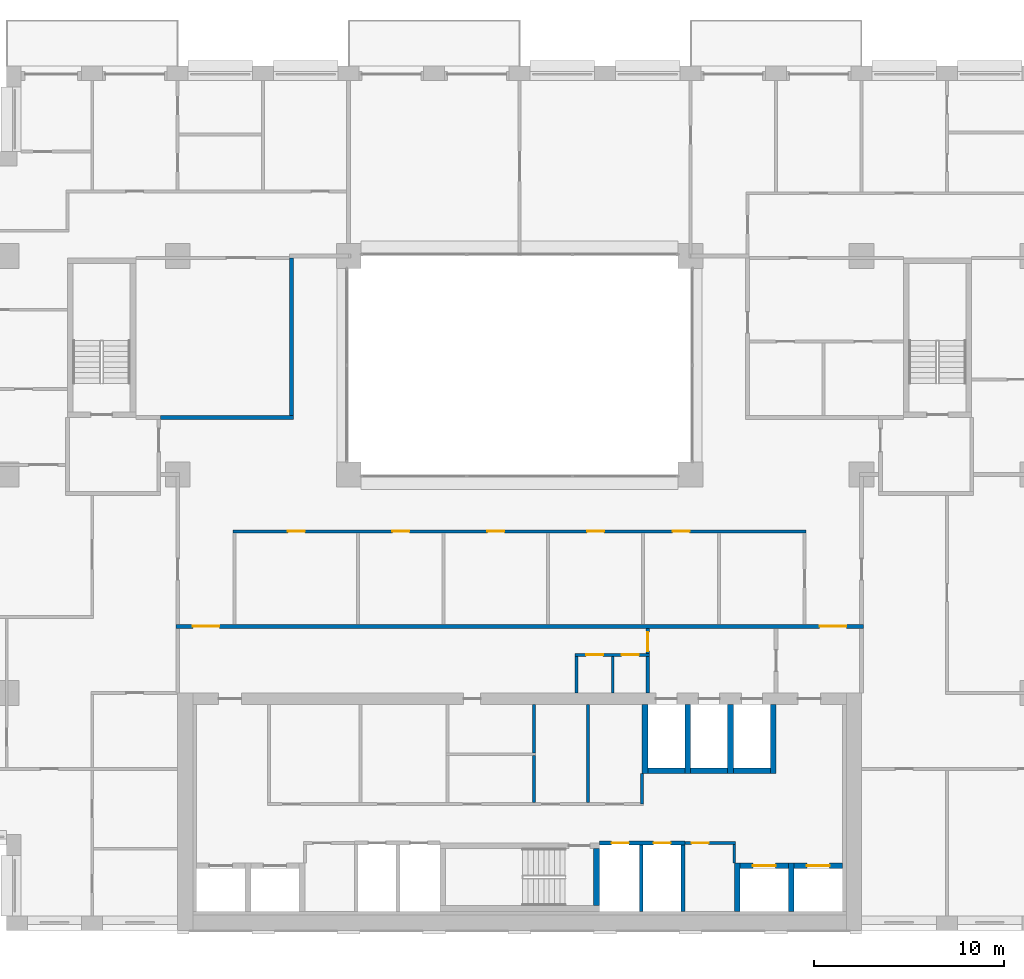
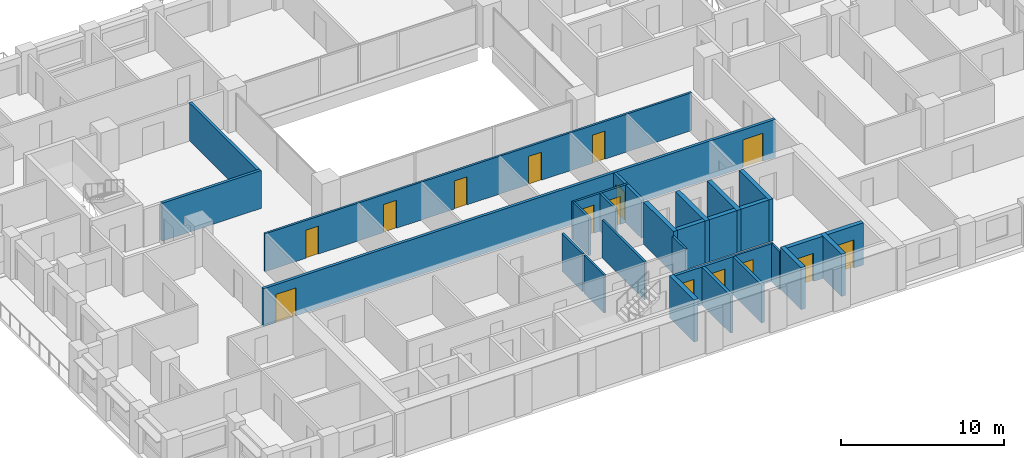
# One storey, part 10 of 16: 30 walls, 15 doors, 15 openings.
"""IFC4 building model written with IfcOpenShell, lengths in metres."""

import ifcopenshell
import ifcopenshell.guid

model = None  # the IFC model being written
_history = None  # IfcOwnerHistory: only IFC2X3 demands one
_inside = {}  # id of a spatial element -> (the spatial element, [elements in it])
_under = {}  # id of a project, library or spatial element -> (it, [spatial elements below it])
_declared = {}  # id of a project -> (the project, [libraries it declares])
_typed = {}  # id of a type object -> (the type object, [elements of that type])
_made_of = {}  # id of a material, layer set ... -> (it, [elements and type objects made of it])


def new_model(schema):
    """Start an empty IFC model of exactly this schema.

    Asked for "IFC4X3", IfcOpenShell would pick the latest addendum, in which some entities
    have other attributes; the version numbers below select the first issue.
    IFC2X3 requires an IfcOwnerHistory on every rooted entity: one is made here for all.
    """
    global model, _history
    if schema == "IFC4X3":
        model = ifcopenshell.file(schema_version=(4, 3, 0, 0))
    else:
        model = ifcopenshell.file(schema=schema)
    _inside.clear()
    _under.clear()
    _declared.clear()
    _typed.clear()
    _made_of.clear()
    _history = None
    if model.schema == "IFC2X3":
        org = make("IfcOrganization", Name="unknown")
        user = make(
            "IfcPersonAndOrganization",
            ThePerson=make("IfcPerson", FamilyName="unknown"),
            TheOrganization=org,
        )
        app = make(
            "IfcApplication",
            ApplicationDeveloper=org,
            Version="unknown",
            ApplicationFullName="unknown",
            ApplicationIdentifier="unknown",
        )
        _history = make(
            "IfcOwnerHistory",
            OwningUser=user,
            OwningApplication=app,
            ChangeAction="ADDED",
            CreationDate=0,
        )
    return model


def make(cls, **values):
    """One entity of the class cls with the attributes given. An attribute that is None is left unset."""
    return model.create_entity(
        cls, **{name: value for name, value in values.items() if value is not None}
    )


def rooted(cls, **values):
    """An entity with a GlobalId (a new one), such as an element, a storey or a relation."""
    return make(cls, GlobalId=ifcopenshell.guid.new(), OwnerHistory=_history, **values)


def si_unit(unit_type, name, prefix=None):
    """IfcSIUnit, for example si_unit("LENGTHUNIT", "METRE", prefix="MILLI")."""
    return make("IfcSIUnit", UnitType=unit_type, Prefix=prefix, Name=name)


def assignment(units):
    """IfcUnitAssignment: the units of a project."""
    return None if units is None else make("IfcUnitAssignment", Units=units)


def point(xyz):
    """IfcCartesianPoint."""
    return None if xyz is None else make("IfcCartesianPoint", Coordinates=xyz)


def direction(xyz):
    """IfcDirection."""
    return None if xyz is None else make("IfcDirection", DirectionRatios=xyz)


def frame(location, z_axis=None, x_axis=None):
    """IfcAxis2Placement3D, a coordinate frame: its origin and axes. An axis left out is left unset."""
    return make(
        "IfcAxis2Placement3D",
        Location=point(location),
        Axis=direction(z_axis),
        RefDirection=direction(x_axis),
    )


def frame_2d(location, x_axis=None):
    """IfcAxis2Placement2D, a coordinate frame in the plane: its origin and x axis."""
    return make(
        "IfcAxis2Placement2D", Location=point(location), RefDirection=direction(x_axis)
    )


def origin():
    """The frame at (0, 0, 0) with its axes left unset."""
    return frame((0.0, 0.0, 0.0))


def place(relative_to, where):
    """IfcLocalPlacement: puts the frame where relative to a parent placement (None: the world)."""
    return make(
        "IfcLocalPlacement", PlacementRelTo=relative_to, RelativePlacement=where
    )


def context(
    kind, dimensions, precision=None, world=None, true_north=None, identifier=None
):
    """IfcGeometricRepresentationContext, for example the 3D "Model" context."""
    return make(
        "IfcGeometricRepresentationContext",
        ContextIdentifier=identifier,
        ContextType=kind,
        CoordinateSpaceDimension=dimensions,
        Precision=precision,
        WorldCoordinateSystem=world,
        TrueNorth=true_north,
    )


def subcontext(parent, identifier, kind, view, scale=None):
    """IfcGeometricRepresentationSubContext, for example "Body" below "Model"."""
    return make(
        "IfcGeometricRepresentationSubContext",
        ContextIdentifier=identifier,
        ContextType=kind,
        ParentContext=parent,
        TargetScale=scale,
        TargetView=view,
    )


def project(units=None, contexts=None):
    """IfcProject with its units and contexts."""
    return rooted(
        "IfcProject",
        Name="project",
        RepresentationContexts=contexts,
        UnitsInContext=assignment(units),
    )


def spatial(cls, under=None, at=None, **own):
    """A site, building, storey or space (cls), placed at a placement, below another one or the project."""
    s = rooted(cls, ObjectPlacement=at, **own)
    if under is not None:
        _under.setdefault(under.id(), (under, []))[1].append(s)
    return s


def profile(cls, at=None, kind="AREA", **sizes):
    """A parametric profile (cls). Its sizes go by their IFC names, for example OverallWidth=200.0."""
    return make(cls, ProfileType=kind, Position=at, **sizes)


def rectangle(**sizes):
    """IfcRectangleProfileDef."""
    return profile("IfcRectangleProfileDef", **sizes)


def extrude(swept, where, along, depth):
    """IfcExtrudedAreaSolid: the profile swept, set in the frame where, extruded along a direction by depth."""
    return make(
        "IfcExtrudedAreaSolid",
        SweptArea=swept,
        Position=where,
        ExtrudedDirection=direction(along),
        Depth=depth,
    )


def shape(context_of_items, identifier, shape_type, items):
    """IfcShapeRepresentation: the items that make up one representation, for example the "Body"."""
    return make(
        "IfcShapeRepresentation",
        ContextOfItems=context_of_items,
        RepresentationIdentifier=identifier,
        RepresentationType=shape_type,
        Items=items,
    )


def material(Name=None, Category=None):
    """IfcMaterial."""
    return make("IfcMaterial", Name=Name, Category=Category)


def layer(
    of_material, thickness, ventilated=None, Name=None, Category=None, Priority=None
):
    """IfcMaterialLayer: one layer of a wall or slab, of a material (None: an air gap)."""
    return make(
        "IfcMaterialLayer",
        Material=of_material,
        LayerThickness=thickness,
        IsVentilated=ventilated,
        Name=Name,
        Category=Category,
        Priority=Priority,
    )


def layer_set(layers, Name=None):
    """IfcMaterialLayerSet."""
    return make("IfcMaterialLayerSet", MaterialLayers=layers, LayerSetName=Name)


def made_of(thing, what):
    """Note that an element or type object is made of a material, layer set ...; save() writes the relation."""
    if what is not None:
        _made_of.setdefault(what.id(), (what, []))[1].append(thing)
    return thing


def type_object(cls, material=None, **own):
    """A type object (cls), such as IfcWallType, which elements share."""
    return made_of(rooted(cls, **own), material)


def element(
    cls,
    number,
    at=None,
    inside=None,
    cuts=None,
    type_object=None,
    material=None,
    context=None,
    identifier="Body",
    shape_type=None,
    held_by="IfcProductDefinitionShape",
    body=None,
    shapes=None,
    **own,
):
    """One element of the class cls, such as IfcWall. Its Tag is "e" and its number.

    at: its placement. inside: the storey or other place that contains it. cuts: it is an
    opening in that element (IfcRelVoidsElement). A single representation is given by context,
    identifier, shape_type and body (its items); several are given by shapes. held_by: the class
    of the entity that holds the representations. save() writes the other relations.
    """
    e = rooted(cls, Tag="e%d" % number, ObjectPlacement=at, **own)
    if body is not None:
        shapes = [shape(context, identifier, shape_type, body)]
    if shapes is not None:
        e.Representation = make(held_by, Representations=shapes)
    if inside is not None:
        _inside.setdefault(inside.id(), (inside, []))[1].append(e)
    if cuts is not None:
        rooted(
            "IfcRelVoidsElement", RelatingBuildingElement=cuts, RelatedOpeningElement=e
        )
    if type_object is not None:
        _typed.setdefault(type_object.id(), (type_object, []))[1].append(e)
    return made_of(e, material)


def fill(opening, filler):
    """IfcRelFillsElement: the door or window that sits in an opening."""
    return rooted(
        "IfcRelFillsElement",
        RelatingOpeningElement=opening,
        RelatedBuildingElement=filler,
    )


def aggregate(whole, parts):
    """IfcRelAggregates: a whole, such as a stair, and the parts it consists of."""
    return rooted("IfcRelAggregates", RelatingObject=whole, RelatedObjects=parts)


def save(model, path):
    """Write the relations noted so far, then the file.

    IfcRelAggregates (storeys below a building ...), IfcRelContainedInSpatialStructure (elements
    in a storey), IfcRelDefinesByType, IfcRelAssociatesMaterial and IfcRelDeclares: one each for
    every whole, place, type object, material and project.
    """
    for whole, parts in _under.values():
        aggregate(whole, parts)
    for where, things in _inside.values():
        rooted(
            "IfcRelContainedInSpatialStructure",
            RelatedElements=things,
            RelatingStructure=where,
        )
    for kind, things in _typed.values():
        rooted("IfcRelDefinesByType", RelatedObjects=things, RelatingType=kind)
    for what, things in _made_of.values():
        rooted("IfcRelAssociatesMaterial", RelatedObjects=things, RelatingMaterial=what)
    for by, libraries in _declared.values():
        rooted("IfcRelDeclares", RelatingContext=by, RelatedDefinitions=libraries)
    model.write(path)


model = new_model("IFC4")

# Units and contexts
model_context = context("Model", 3, precision=1e-05, world=origin(), true_north=direction((0.0, 1.0)))
body_context = subcontext(model_context, "Body", "Model", "MODEL_VIEW")
ifc_project = project(units=[si_unit("LENGTHUNIT", "METRE"), si_unit("AREAUNIT", "SQUARE_METRE"), si_unit("VOLUMEUNIT", "CUBIC_METRE"), si_unit("PLANEANGLEUNIT", "RADIAN"), si_unit("MASSUNIT", "GRAM", prefix="KILO")], contexts=[model_context])

# Site, building, storey
site_placement = place(None, origin())
site = spatial("IfcSite", under=ifc_project, at=site_placement, CompositionType="ELEMENT")
building_placement = place(site_placement, origin())
building = spatial("IfcBuilding", under=site, at=building_placement, Name="Brigalow Station Residences", CompositionType="ELEMENT")
storey_placement = place(building_placement, frame((0.0, 0.0, 86.699951171875)))
storey = spatial("IfcBuildingStorey", under=building, at=storey_placement, Name="L24", CompositionType="ELEMENT", Elevation=86.699951171875)

# Walls
ifc_material_1 = material(Name="Concrete C65", Category="concrete")
ifc_layer_1 = layer(ifc_material_1, 0.300048828125)
ifc_layer_set_1 = layer_set([ifc_layer_1], Name="CORE SHEAR WALL 300 C65")
wall_type_1 = type_object("IfcWallType", Name="CORE SHEAR WALL 300 C65", PredefinedType="SHEAR", material=ifc_layer_set_1)
wall_1_placement = place(storey_placement, frame((42.75, 8.39990234375, 0.0), z_axis=(0.0, 0.0, 1.0), x_axis=(1.0, 0.0, 0.0)))
element("IfcWall", 1, at=wall_1_placement, inside=storey, type_object=wall_type_1, Name="CORE WALL SH-FF1-S L24", PredefinedType="SHEAR", context=body_context, shape_type="SweptSolid", body=[
    extrude(rectangle(XDim=1.949951171875, YDim=0.300048828125, at=frame_2d((0.97509765625, 0.0))), origin(), (0.0, 0.0, 1.0), 3.150146484375),
])
wall_2_placement = place(storey_placement, frame((42.60009765625, 8.25, 0.0), z_axis=(0.0, 0.0, 1.0), x_axis=(0.0, 1.0, 0.0)))
element("IfcWall", 2, at=wall_2_placement, inside=storey, type_object=wall_type_1, Name="CORE WALL SH-FF1-W L24", PredefinedType="SHEAR", context=body_context, shape_type="SweptSolid", body=[
    extrude(rectangle(XDim=3.64990234375, YDim=0.300048828125, at=frame_2d((1.824951171875, 0.0))), origin(), (0.0, 0.0, 1.0), 3.150146484375),
])
wall_3_placement = place(storey_placement, frame((45.0, 8.39990234375, 0.0), z_axis=(0.0, 0.0, 1.0), x_axis=(1.0, 0.0, 0.0)))
element("IfcWall", 3, at=wall_3_placement, inside=storey, type_object=wall_type_1, Name="CORE WALL SH-FF2-S L24", PredefinedType="SHEAR", context=body_context, shape_type="SweptSolid", body=[
    extrude(rectangle(XDim=1.949951171875, YDim=0.300048828125, at=frame_2d((0.97509765625, 0.0))), origin(), (0.0, 0.0, 1.0), 3.150146484375),
])
wall_4_placement = place(storey_placement, frame((44.85009765625, 8.25, 0.0), z_axis=(0.0, 0.0, 1.0), x_axis=(0.0, 1.0, 0.0)))
element("IfcWall", 4, at=wall_4_placement, inside=storey, type_object=wall_type_1, Name="CORE WALL SH-FF2-W L24", PredefinedType="SHEAR", context=body_context, shape_type="SweptSolid", body=[
    extrude(rectangle(XDim=3.64990234375, YDim=0.300048828125, at=frame_2d((1.824951171875, 0.0))), origin(), (0.0, 0.0, 1.0), 3.150146484375),
])
wall_5_placement = place(storey_placement, frame((47.25, 8.39990234375, 0.0), z_axis=(0.0, 0.0, 1.0), x_axis=(1.0, 0.0, 0.0)))
element("IfcWall", 5, at=wall_5_placement, inside=storey, type_object=wall_type_1, Name="CORE WALL SH-SL1-S L24", PredefinedType="SHEAR", context=body_context, shape_type="SweptSolid", body=[
    extrude(rectangle(XDim=1.949951171875, YDim=0.300048828125, at=frame_2d((0.97509765625, 0.0))), origin(), (0.0, 0.0, 1.0), 3.150146484375),
])
for number, where, z_axis, x_axis, name in (
    (6, (47.10009765625, 8.25, 0.0), (0.0, 0.0, 1.0), (0.0, 1.0, 0.0), "CORE WALL SH-SL1-W L24"),
    (7, (49.35009765625, 8.25, 0.0), (0.0, 0.0, 1.0), (0.0, 1.0, 0.0), "CORE WALL SH-SL1-E L24"),
):
    element("IfcWall", number, at=place(storey_placement, frame(where, z_axis=z_axis, x_axis=x_axis)), inside=storey, type_object=wall_type_1, Name=name, PredefinedType="SHEAR", context=body_context, shape_type="SweptSolid", body=[
        extrude(rectangle(XDim=3.64990234375, YDim=0.300048828125, at=frame_2d((1.824951171875, 0.0))), origin(), (0.0, 0.0, 1.0), 3.150146484375),
    ])

# Wall, opening, door
wall_6_placement = place(storey_placement, frame((47.60009765625, 3.39990234375, 0.0), z_axis=(0.0, 0.0, 1.0), x_axis=(1.0, 0.0, 0.0)))
wall_6 = element("IfcWall", 8, at=wall_6_placement, inside=storey, type_object=wall_type_1, Name="CORE WALL SH-C3-N L24", PredefinedType="SHEAR", context=body_context, shape_type="SweptSolid", body=[
    extrude(rectangle(XDim=2.5498046875, YDim=0.300048828125, at=frame_2d((1.27490234375, 0.0))), origin(), (0.0, 0.0, 1.0), 3.150146484375),
])
opening_1_placement = place(wall_6_placement, frame((0.675048828125, 0.0, 0.0)))
opening_1 = element("IfcOpeningElement", 9, at=opening_1_placement, cuts=wall_6, Name="Opening LD-LB3", PredefinedType="OPENING", context=body_context, shape_type="SweptSolid", body=[
    extrude(rectangle(XDim=1.199951171875, YDim=2.10009765625, at=frame_2d((0.60009765625, 1.050048828125))), frame((0.0, 0.16015625, 0.0), z_axis=(0.0, -1.0, 0.0), x_axis=(1.0, 0.0, 0.0)), (0.0, 0.0, 1.0), 0.320068359375),
])
ifc_material_2 = material(Name="Stainless steel sliding door leaves", Category="steel")
door_type_1 = type_object("IfcDoorType", Name="LIFT LANDING DOOR 1200 x 2100", OperationType="DOUBLE_DOOR_SLIDING", PredefinedType="DOOR", material=ifc_material_2)
door_1_placement = place(opening_1_placement, origin())
door_1 = element("IfcDoor", 10, at=door_1_placement, inside=storey, type_object=door_type_1, Name="LANDING DOOR LB3", OperationType="DOUBLE_DOOR_SLIDING", OverallHeight=2.10009765625, OverallWidth=1.199951171875, PredefinedType="DOOR", context=body_context, shape_type="SweptSolid", body=[
    extrude(rectangle(XDim=1.199951171875, YDim=2.10009765625, at=frame_2d((0.60009765625, 1.050048828125))), frame((0.0, 0.02490234375, 0.0), z_axis=(0.0, -1.0, 0.0), x_axis=(1.0, 0.0, 0.0)), (0.0, 0.0, 1.0), 0.050048828125),
])
fill(opening_1, door_1)

# Wall
wall_7_placement = place(storey_placement, frame((47.449951171875, 1.0, 0.0), z_axis=(0.0, 0.0, 1.0), x_axis=(0.0, 1.0, 0.0)))
element("IfcWall", 11, at=wall_7_placement, inside=storey, type_object=wall_type_1, Name="CORE WALL SH-C3-W L24", PredefinedType="SHEAR", context=body_context, shape_type="SweptSolid", body=[
    extrude(rectangle(XDim=2.550048828125, YDim=0.300048828125, at=frame_2d((1.27490234375, 0.0))), origin(), (0.0, 0.0, 1.0), 3.150146484375),
])

# Wall, opening, door
wall_8_placement = place(storey_placement, frame((50.449951171875, 3.39990234375, 0.0), z_axis=(0.0, 0.0, 1.0), x_axis=(1.0, 0.0, 0.0)))
wall_8 = element("IfcWall", 12, at=wall_8_placement, inside=storey, type_object=wall_type_1, Name="CORE WALL SH-C4-N L24", PredefinedType="SHEAR", context=body_context, shape_type="SweptSolid", body=[
    extrude(rectangle(XDim=2.550048828125, YDim=0.300048828125, at=frame_2d((1.27490234375, 0.0))), origin(), (0.0, 0.0, 1.0), 3.150146484375),
])
opening_2_placement = place(wall_8_placement, frame((0.675048828125, 0.0, 0.0)))
opening_2 = element("IfcOpeningElement", 13, at=opening_2_placement, cuts=wall_8, Name="Opening LD-LB4", PredefinedType="OPENING", context=body_context, shape_type="SweptSolid", body=[
    extrude(rectangle(XDim=1.199951171875, YDim=2.10009765625, at=frame_2d((0.60009765625, 1.050048828125))), frame((0.0, 0.16015625, 0.0), z_axis=(0.0, -1.0, 0.0), x_axis=(1.0, 0.0, 0.0)), (0.0, 0.0, 1.0), 0.320068359375),
])
door_2_placement = place(opening_2_placement, origin())
door_2 = element("IfcDoor", 14, at=door_2_placement, inside=storey, type_object=door_type_1, Name="LANDING DOOR LB4", OperationType="DOUBLE_DOOR_SLIDING", OverallHeight=2.10009765625, OverallWidth=1.199951171875, PredefinedType="DOOR", context=body_context, shape_type="SweptSolid", body=[
    extrude(rectangle(XDim=1.199951171875, YDim=2.10009765625, at=frame_2d((0.60009765625, 1.050048828125))), frame((0.0, 0.02490234375, 0.0), z_axis=(0.0, -1.0, 0.0), x_axis=(1.0, 0.0, 0.0)), (0.0, 0.0, 1.0), 0.050048828125),
])
fill(opening_2, door_2)

# Walls
wall_9_placement = place(storey_placement, frame((50.300048828125, 1.0, 0.0), z_axis=(0.0, 0.0, 1.0), x_axis=(0.0, 1.0, 0.0)))
element("IfcWall", 15, at=wall_9_placement, inside=storey, type_object=wall_type_1, Name="CORE WALL SH-C4-W L24", PredefinedType="SHEAR", context=body_context, shape_type="SweptSolid", body=[
    extrude(rectangle(XDim=2.550048828125, YDim=0.300048828125, at=frame_2d((1.27490234375, 0.0))), origin(), (0.0, 0.0, 1.0), 3.150146484375),
])
wall_10_placement = place(storey_placement, frame((40.050048828125, 1.300048828125, 0.0), z_axis=(0.0, 0.0, 1.0), x_axis=(0.0, 1.0, 0.0)))
element("IfcWall", 16, at=wall_10_placement, inside=storey, type_object=wall_type_1, Name="CORE WALL ST-S2-E L24", PredefinedType="SHEAR", context=body_context, shape_type="SweptSolid", body=[
    extrude(rectangle(XDim=3.0, YDim=0.300048828125, at=frame_2d((1.5, 0.0))), origin(), (0.0, 0.0, 1.0), 3.150146484375),
])

# Wall, openings, doors
ifc_material_3 = material(Name="Concrete blockwork", Category="masonry")
ifc_layer_2 = layer(ifc_material_3, 0.199951171875)
ifc_layer_set_2 = layer_set([ifc_layer_2], Name="FIRE RATED CORE PARTITION 200")
wall_type_2 = type_object("IfcWallType", Name="FIRE RATED CORE PARTITION 200", PredefinedType="PARTITIONING", material=ifc_layer_set_2)
wall_11_placement = place(storey_placement, frame((40.199951171875, 4.60009765625, 0.0), z_axis=(0.0, 0.0, 1.0), x_axis=(1.0, 0.0, 0.0)))
wall_11 = element("IfcWall", 17, at=wall_11_placement, inside=storey, type_object=wall_type_2, Name="PW-5018", PredefinedType="PARTITIONING", context=body_context, shape_type="SweptSolid", body=[
    extrude(rectangle(XDim=4.5, YDim=0.199951171875, at=frame_2d((2.25, 0.0))), origin(), (0.0, 0.0, 1.0), 2.830078125),
])
opening_3_placement = place(wall_11_placement, frame((0.64990234375, 0.0, 0.0)))
opening_3 = element("IfcOpeningElement", 18, at=opening_3_placement, cuts=wall_11, Name="Opening D-5009", PredefinedType="OPENING", context=body_context, shape_type="SweptSolid", body=[
    extrude(rectangle(XDim=0.89990234375, YDim=2.10009765625, at=frame_2d((0.449951171875, 1.050048828125))), frame((0.0, 0.10986328125, 0.0), z_axis=(0.0, -1.0, 0.0), x_axis=(1.0, 0.0, 0.0)), (0.0, 0.0, 1.0), 0.219970703125),
])
opening_4_placement = place(wall_11_placement, frame((2.85009765625, 0.0, 0.0)))
opening_4 = element("IfcOpeningElement", 19, at=opening_4_placement, cuts=wall_11, Name="Opening D-5010", PredefinedType="OPENING", context=body_context, shape_type="SweptSolid", body=[
    extrude(rectangle(XDim=0.89990234375, YDim=2.10009765625, at=frame_2d((0.449951171875, 1.050048828125))), frame((0.0, 0.10986328125, 0.0), z_axis=(0.0, -1.0, 0.0), x_axis=(1.0, 0.0, 0.0)), (0.0, 0.0, 1.0), 0.219970703125),
])
ifc_material_4 = material(Name="Steel fire door leaf in steel frame", Category="steel")
door_type_2 = type_object("IfcDoorType", Name="RISER ACCESS DOOR 900 x 2100 FD120", OperationType="SINGLE_SWING_LEFT", PredefinedType="DOOR", material=ifc_material_4)
door_3_placement = place(opening_3_placement, frame((0.89990234375, 0.0, 0.0), z_axis=(0.0, 0.0, 1.0), x_axis=(-1.0, 0.0, 0.0)))
door_3 = element("IfcDoor", 20, at=door_3_placement, inside=storey, type_object=door_type_2, Name="D-5009", OperationType="SINGLE_SWING_LEFT", OverallHeight=2.10009765625, OverallWidth=0.89990234375, PredefinedType="DOOR", context=body_context, shape_type="SweptSolid", body=[
    extrude(rectangle(XDim=0.89990234375, YDim=2.10009765625, at=frame_2d((0.449951171875, 1.050048828125))), frame((0.0, 0.02490234375, 0.0), z_axis=(0.0, -1.0, 0.0), x_axis=(1.0, 0.0, 0.0)), (0.0, 0.0, 1.0), 0.050048828125),
])
fill(opening_3, door_3)
door_4_placement = place(opening_4_placement, frame((0.89990234375, 0.0, 0.0), z_axis=(0.0, 0.0, 1.0), x_axis=(-1.0, 0.0, 0.0)))
door_4 = element("IfcDoor", 21, at=door_4_placement, inside=storey, type_object=door_type_2, Name="D-5010", OperationType="SINGLE_SWING_LEFT", OverallHeight=2.10009765625, OverallWidth=0.89990234375, PredefinedType="DOOR", context=body_context, shape_type="SweptSolid", body=[
    extrude(rectangle(XDim=0.89990234375, YDim=2.10009765625, at=frame_2d((0.449951171875, 1.050048828125))), frame((0.0, 0.02490234375, 0.0), z_axis=(0.0, -1.0, 0.0), x_axis=(1.0, 0.0, 0.0)), (0.0, 0.0, 1.0), 0.050048828125),
])
fill(opening_4, door_4)

# Walls
for number, where, z_axis, x_axis, name in (
    (22, (42.39990234375, 1.0, 0.0), (0.0, 0.0, 1.0), (0.0, 1.0, 0.0), "PW-5007"),
    (23, (44.60009765625, 1.0, 0.0), (0.0, 0.0, 1.0), (0.0, 1.0, 0.0), "PW-5008"),
):
    element("IfcWall", number, at=place(storey_placement, frame(where, z_axis=z_axis, x_axis=x_axis)), inside=storey, type_object=wall_type_2, Name=name, PredefinedType="PARTITIONING", context=body_context, shape_type="SweptSolid", body=[
        extrude(rectangle(XDim=3.5, YDim=0.199951171875, at=frame_2d((1.75, 0.0))), origin(), (0.0, 0.0, 1.0), 2.830078125),
    ])
wall_12_placement = place(storey_placement, frame((42.75, 12.5, 0.0), z_axis=(0.0, 0.0, 1.0), x_axis=(0.0, 1.0, 0.0)))
element("IfcWall", 24, at=wall_12_placement, inside=storey, type_object=wall_type_2, Name="PW-5046", PredefinedType="PARTITIONING", context=body_context, shape_type="SweptSolid", body=[
    extrude(rectangle(XDim=1.925048828125, YDim=0.199951171875, at=frame_2d((0.96240234375, 0.0))), origin(), (0.0, 0.0, 1.0), 2.830078125),
])

# Wall, opening, door
wall_13_placement = place(storey_placement, frame((42.75, 14.574951171875, 0.0), z_axis=(0.0, 0.0, 1.0), x_axis=(0.0, 1.0, 0.0)))
wall_13 = element("IfcWall", 25, at=wall_13_placement, inside=storey, type_object=wall_type_2, Name="PW-5047", PredefinedType="PARTITIONING", context=body_context, shape_type="SweptSolid", body=[
    extrude(rectangle(XDim=1.324951171875, YDim=0.199951171875, at=frame_2d((0.66259765625, 0.0))), origin(), (0.0, 0.0, 1.0), 2.830078125),
])
opening_5_placement = place(wall_13_placement, frame((0.125, 0.0, 0.0)))
opening_5 = element("IfcOpeningElement", 26, at=opening_5_placement, cuts=wall_13, Name="Opening D-5013", PredefinedType="OPENING", context=body_context, shape_type="SweptSolid", body=[
    extrude(rectangle(XDim=1.0, YDim=2.10009765625, at=frame_2d((0.5, 1.050048828125))), frame((0.0, 0.10986328125, 0.0), z_axis=(0.0, -1.0, 0.0), x_axis=(1.0, 0.0, 0.0)), (0.0, 0.0, 1.0), 0.219970703125),
])
ifc_material_5 = material(Name="Steel fire door leaf in steel frame", Category="steel")
door_type_3 = type_object("IfcDoorType", Name="LOBBY DOOR 1000 x 2100 FD60S", OperationType="SINGLE_SWING_LEFT", PredefinedType="DOOR", material=ifc_material_5)
door_5_placement = place(opening_5_placement, origin())
door_5 = element("IfcDoor", 27, at=door_5_placement, inside=storey, type_object=door_type_3, Name="D-5013", OperationType="SINGLE_SWING_LEFT", OverallHeight=2.10009765625, OverallWidth=1.0, PredefinedType="DOOR", context=body_context, shape_type="SweptSolid", body=[
    extrude(rectangle(XDim=1.0, YDim=2.10009765625, at=frame_2d((0.5, 1.050048828125))), frame((0.0, 0.02490234375, 0.0), z_axis=(0.0, -1.0, 0.0), x_axis=(1.0, 0.0, 0.0)), (0.0, 0.0, 1.0), 0.050048828125),
])
fill(opening_5, door_5)

# Wall, openings, doors
ifc_material_6 = material(Name="Plasterboard on steel stud partition", Category="steel")
ifc_layer_3 = layer(ifc_material_6, 0.14990234375)
ifc_layer_set_3 = layer_set([ifc_layer_3], Name="FLAT PARTITION 150")
wall_type_3 = type_object("IfcWallType", Name="FLAT PARTITION 150", PredefinedType="PARTITIONING", material=ifc_layer_set_3)
wall_14_placement = place(storey_placement, frame((20.925048828125, 21.0, 0.0), z_axis=(0.0, 0.0, 1.0), x_axis=(1.0, 0.0, 0.0)))
wall_14 = element("IfcWall", 28, at=wall_14_placement, inside=storey, type_object=wall_type_3, Name="PW-2A01", PredefinedType="PARTITIONING", context=body_context, shape_type="SweptSolid", body=[
    extrude(rectangle(XDim=30.14990234375, YDim=0.14990234375, at=frame_2d((15.074951171875, 0.0))), origin(), (0.0, 0.0, 1.0), 2.830078125),
])
opening_6_placement = place(wall_14_placement, frame((2.875, 0.0, 0.0)))
opening_6 = element("IfcOpeningElement", 29, at=opening_6_placement, cuts=wall_14, Name="Opening D-2A49", PredefinedType="OPENING", context=body_context, shape_type="SweptSolid", body=[
    extrude(rectangle(XDim=0.89990234375, YDim=2.10009765625, at=frame_2d((0.449951171875, 1.050048828125))), frame((0.0, 0.0849609375, 0.0), z_axis=(0.0, -1.0, 0.0), x_axis=(1.0, 0.0, 0.0)), (0.0, 0.0, 1.0), 0.169921875),
])
opening_7_placement = place(wall_14_placement, frame((8.375, 0.0, 0.0)))
opening_7 = element("IfcOpeningElement", 30, at=opening_7_placement, cuts=wall_14, Name="Opening D-2A50", PredefinedType="OPENING", context=body_context, shape_type="SweptSolid", body=[
    extrude(rectangle(XDim=0.89990234375, YDim=2.10009765625, at=frame_2d((0.449951171875, 1.050048828125))), frame((0.0, 0.0849609375, 0.0), z_axis=(0.0, -1.0, 0.0), x_axis=(1.0, 0.0, 0.0)), (0.0, 0.0, 1.0), 0.169921875),
])
opening_8_placement = place(wall_14_placement, frame((13.375, 0.0, 0.0)))
opening_8 = element("IfcOpeningElement", 31, at=opening_8_placement, cuts=wall_14, Name="Opening D-2A51", PredefinedType="OPENING", context=body_context, shape_type="SweptSolid", body=[
    extrude(rectangle(XDim=0.89990234375, YDim=2.10009765625, at=frame_2d((0.449951171875, 1.050048828125))), frame((0.0, 0.0849609375, 0.0), z_axis=(0.0, -1.0, 0.0), x_axis=(1.0, 0.0, 0.0)), (0.0, 0.0, 1.0), 0.169921875),
])
opening_9_placement = place(wall_14_placement, frame((18.625, 0.0, 0.0)))
opening_9 = element("IfcOpeningElement", 32, at=opening_9_placement, cuts=wall_14, Name="Opening D-2A52", PredefinedType="OPENING", context=body_context, shape_type="SweptSolid", body=[
    extrude(rectangle(XDim=0.89990234375, YDim=2.10009765625, at=frame_2d((0.449951171875, 1.050048828125))), frame((0.0, 0.0849609375, 0.0), z_axis=(0.0, -1.0, 0.0), x_axis=(1.0, 0.0, 0.0)), (0.0, 0.0, 1.0), 0.169921875),
])
opening_10_placement = place(wall_14_placement, frame((23.125, 0.0, 0.0)))
opening_10 = element("IfcOpeningElement", 33, at=opening_10_placement, cuts=wall_14, Name="Opening D-2A53", PredefinedType="OPENING", context=body_context, shape_type="SweptSolid", body=[
    extrude(rectangle(XDim=0.89990234375, YDim=2.10009765625, at=frame_2d((0.449951171875, 1.050048828125))), frame((0.0, 0.0849609375, 0.0), z_axis=(0.0, -1.0, 0.0), x_axis=(1.0, 0.0, 0.0)), (0.0, 0.0, 1.0), 0.169921875),
])
ifc_material_7 = material(Name="Solid-core timber door leaf", Category="wood")
door_type_4 = type_object("IfcDoorType", Name="INTERNAL DOOR 900 x 2100", OperationType="SINGLE_SWING_LEFT", PredefinedType="DOOR", material=ifc_material_7)
door_6_placement = place(opening_6_placement, frame((0.89990234375, 0.0, 0.0), z_axis=(0.0, 0.0, 1.0), x_axis=(-1.0, 0.0, 0.0)))
door_6 = element("IfcDoor", 34, at=door_6_placement, inside=storey, type_object=door_type_4, Name="D-2A49", OperationType="SINGLE_SWING_LEFT", OverallHeight=2.10009765625, OverallWidth=0.89990234375, PredefinedType="DOOR", context=body_context, shape_type="SweptSolid", body=[
    extrude(rectangle(XDim=0.89990234375, YDim=2.10009765625, at=frame_2d((0.449951171875, 1.050048828125))), frame((0.0, 0.02490234375, 0.0), z_axis=(0.0, -1.0, 0.0), x_axis=(1.0, 0.0, 0.0)), (0.0, 0.0, 1.0), 0.050048828125),
])
fill(opening_6, door_6)
door_7_placement = place(opening_7_placement, frame((0.89990234375, 0.0, 0.0), z_axis=(0.0, 0.0, 1.0), x_axis=(-1.0, 0.0, 0.0)))
door_7 = element("IfcDoor", 35, at=door_7_placement, inside=storey, type_object=door_type_4, Name="D-2A50", OperationType="SINGLE_SWING_RIGHT", OverallHeight=2.10009765625, OverallWidth=0.89990234375, PredefinedType="DOOR", context=body_context, shape_type="SweptSolid", body=[
    extrude(rectangle(XDim=0.89990234375, YDim=2.10009765625, at=frame_2d((0.449951171875, 1.050048828125))), frame((0.0, 0.02490234375, 0.0), z_axis=(0.0, -1.0, 0.0), x_axis=(1.0, 0.0, 0.0)), (0.0, 0.0, 1.0), 0.050048828125),
])
fill(opening_7, door_7)
door_8_placement = place(opening_8_placement, frame((0.89990234375, 0.0, 0.0), z_axis=(0.0, 0.0, 1.0), x_axis=(-1.0, 0.0, 0.0)))
door_8 = element("IfcDoor", 36, at=door_8_placement, inside=storey, type_object=door_type_4, Name="D-2A51", OperationType="SINGLE_SWING_LEFT", OverallHeight=2.10009765625, OverallWidth=0.89990234375, PredefinedType="DOOR", context=body_context, shape_type="SweptSolid", body=[
    extrude(rectangle(XDim=0.89990234375, YDim=2.10009765625, at=frame_2d((0.449951171875, 1.050048828125))), frame((0.0, 0.02490234375, 0.0), z_axis=(0.0, -1.0, 0.0), x_axis=(1.0, 0.0, 0.0)), (0.0, 0.0, 1.0), 0.050048828125),
])
fill(opening_8, door_8)
door_9_placement = place(opening_9_placement, frame((0.89990234375, 0.0, 0.0), z_axis=(0.0, 0.0, 1.0), x_axis=(-1.0, 0.0, 0.0)))
door_9 = element("IfcDoor", 37, at=door_9_placement, inside=storey, type_object=door_type_4, Name="D-2A52", OperationType="SINGLE_SWING_LEFT", OverallHeight=2.10009765625, OverallWidth=0.89990234375, PredefinedType="DOOR", context=body_context, shape_type="SweptSolid", body=[
    extrude(rectangle(XDim=0.89990234375, YDim=2.10009765625, at=frame_2d((0.449951171875, 1.050048828125))), frame((0.0, 0.02490234375, 0.0), z_axis=(0.0, -1.0, 0.0), x_axis=(1.0, 0.0, 0.0)), (0.0, 0.0, 1.0), 0.050048828125),
])
fill(opening_9, door_9)
door_10_placement = place(opening_10_placement, frame((0.89990234375, 0.0, 0.0), z_axis=(0.0, 0.0, 1.0), x_axis=(-1.0, 0.0, 0.0)))
door_10 = element("IfcDoor", 38, at=door_10_placement, inside=storey, type_object=door_type_4, Name="D-2A53", OperationType="SINGLE_SWING_LEFT", OverallHeight=2.10009765625, OverallWidth=0.89990234375, PredefinedType="DOOR", context=body_context, shape_type="SweptSolid", body=[
    extrude(rectangle(XDim=0.89990234375, YDim=2.10009765625, at=frame_2d((0.449951171875, 1.050048828125))), frame((0.0, 0.02490234375, 0.0), z_axis=(0.0, -1.0, 0.0), x_axis=(1.0, 0.0, 0.0)), (0.0, 0.0, 1.0), 0.050048828125),
])
fill(opening_10, door_10)

# Wall
ifc_material_8 = material(Name="Plasterboard on steel stud partition", Category="steel")
ifc_layer_4 = layer(ifc_material_8, 0.199951171875)
ifc_layer_set_4 = layer_set([ifc_layer_4], Name="PARTY AND CORRIDOR WALL 200")
wall_type_4 = type_object("IfcWallType", Name="PARTY AND CORRIDOR WALL 200", PredefinedType="PARTITIONING", material=ifc_layer_set_4)
wall_15_placement = place(storey_placement, frame((17.10009765625, 27.0, 0.0), z_axis=(0.0, 0.0, 1.0), x_axis=(1.0, 0.0, 0.0)))
element("IfcWall", 39, at=wall_15_placement, inside=storey, type_object=wall_type_4, Name="PW-2A05", PredefinedType="PARTITIONING", context=body_context, shape_type="SweptSolid", body=[
    extrude(rectangle(XDim=7.0, YDim=0.199951171875, at=frame_2d((3.5, 0.0))), origin(), (0.0, 0.0, 1.0), 2.830078125),
])

# Wall, openings, doors
wall_16_placement = place(storey_placement, frame((17.89990234375, 16.0, 0.0), z_axis=(0.0, 0.0, 1.0), x_axis=(1.0, 0.0, 0.0)))
wall_16 = element("IfcWall", 40, at=wall_16_placement, inside=storey, type_object=wall_type_4, Name="PW-2A38", PredefinedType="PARTITIONING", context=body_context, shape_type="SweptSolid", body=[
    extrude(rectangle(XDim=36.2001953125, YDim=0.199951171875, at=frame_2d((18.10009765625, 0.0))), origin(), (0.0, 0.0, 1.0), 2.830078125),
])
opening_11_placement = place(wall_16_placement, frame((0.89990234375, 0.0, 0.0)))
opening_11 = element("IfcOpeningElement", 41, at=opening_11_placement, cuts=wall_16, Name="Opening D-2A01", PredefinedType="OPENING", context=body_context, shape_type="SweptSolid", body=[
    extrude(rectangle(XDim=1.39990234375, YDim=2.10009765625, at=frame_2d((0.699951171875, 1.050048828125))), frame((0.0, 0.10986328125, 0.0), z_axis=(0.0, -1.0, 0.0), x_axis=(1.0, 0.0, 0.0)), (0.0, 0.0, 1.0), 0.219970703125),
])
opening_12_placement = place(wall_16_placement, frame((33.89990234375, 0.0, 0.0)))
opening_12 = element("IfcOpeningElement", 42, at=opening_12_placement, cuts=wall_16, Name="Opening D-2A02", PredefinedType="OPENING", context=body_context, shape_type="SweptSolid", body=[
    extrude(rectangle(XDim=1.39990234375, YDim=2.10009765625, at=frame_2d((0.699951171875, 1.050048828125))), frame((0.0, 0.10986328125, 0.0), z_axis=(0.0, -1.0, 0.0), x_axis=(1.0, 0.0, 0.0)), (0.0, 0.0, 1.0), 0.219970703125),
])
ifc_material_9 = material(Name="Solid-core timber door leaf", Category="wood")
door_type_5 = type_object("IfcDoorType", Name="CORRIDOR FIRE DOOR 1400 x 2100 FRL -/60/30", OperationType="DOUBLE_DOOR_SINGLE_SWING", PredefinedType="DOOR", material=ifc_material_9)
door_11_placement = place(opening_11_placement, frame((1.39990234375, 0.0, 0.0), z_axis=(0.0, 0.0, 1.0), x_axis=(-1.0, 0.0, 0.0)))
door_11 = element("IfcDoor", 43, at=door_11_placement, inside=storey, type_object=door_type_5, Name="D-2A01", OperationType="DOUBLE_DOOR_SINGLE_SWING", OverallHeight=2.10009765625, OverallWidth=1.39990234375, PredefinedType="DOOR", context=body_context, shape_type="SweptSolid", body=[
    extrude(rectangle(XDim=1.39990234375, YDim=2.10009765625, at=frame_2d((0.699951171875, 1.050048828125))), frame((0.0, 0.02490234375, 0.0), z_axis=(0.0, -1.0, 0.0), x_axis=(1.0, 0.0, 0.0)), (0.0, 0.0, 1.0), 0.050048828125),
])
fill(opening_11, door_11)
door_12_placement = place(opening_12_placement, frame((1.39990234375, 0.0, 0.0), z_axis=(0.0, 0.0, 1.0), x_axis=(-1.0, 0.0, 0.0)))
door_12 = element("IfcDoor", 44, at=door_12_placement, inside=storey, type_object=door_type_5, Name="D-2A02", OperationType="DOUBLE_DOOR_SINGLE_SWING", OverallHeight=2.10009765625, OverallWidth=1.39990234375, PredefinedType="DOOR", context=body_context, shape_type="SweptSolid", body=[
    extrude(rectangle(XDim=1.39990234375, YDim=2.10009765625, at=frame_2d((0.699951171875, 1.050048828125))), frame((0.0, 0.02490234375, 0.0), z_axis=(0.0, -1.0, 0.0), x_axis=(1.0, 0.0, 0.0)), (0.0, 0.0, 1.0), 0.050048828125),
])
fill(opening_12, door_12)

# Wall
wall_17_placement = place(storey_placement, frame((24.0, 27.10009765625, 0.0), z_axis=(0.0, 0.0, 1.0), x_axis=(0.0, 1.0, 0.0)))
element("IfcWall", 45, at=wall_17_placement, inside=storey, type_object=wall_type_4, Name="PW-2A45", PredefinedType="PARTITIONING", context=body_context, shape_type="SweptSolid", body=[
    extrude(rectangle(XDim=8.2998046875, YDim=0.199951171875, at=frame_2d((4.14990234375, 0.0))), origin(), (0.0, 0.0, 1.0), 2.830078125),
])

# Wall, opening, door
ifc_material_10 = material(Name="Plasterboard on steel studs", Category="steel")
ifc_layer_5 = layer(ifc_material_10, 0.14990234375)
ifc_layer_set_5 = layer_set([ifc_layer_5], Name="SERVICE ROOM PARTITION 150")
wall_type_5 = type_object("IfcWallType", Name="SERVICE ROOM PARTITION 150", PredefinedType="PARTITIONING", material=ifc_layer_set_5)
wall_18_placement = place(storey_placement, frame((44.699951171875, 4.60009765625, 0.0), z_axis=(0.0, 0.0, 1.0), x_axis=(1.0, 0.0, 0.0)))
wall_18 = element("IfcWall", 46, at=wall_18_placement, inside=storey, type_object=wall_type_5, Name="PW-5156", PredefinedType="PARTITIONING", context=body_context, shape_type="SweptSolid", body=[
    extrude(rectangle(XDim=2.675048828125, YDim=0.14990234375, at=frame_2d((1.33740234375, 0.0))), origin(), (0.0, 0.0, 1.0), 2.830078125),
])
opening_13_placement = place(wall_18_placement, frame((0.35009765625, 0.0, 0.0)))
opening_13 = element("IfcOpeningElement", 47, at=opening_13_placement, cuts=wall_18, Name="Opening D-5026", PredefinedType="OPENING", context=body_context, shape_type="SweptSolid", body=[
    extrude(rectangle(XDim=0.89990234375, YDim=2.10009765625, at=frame_2d((0.449951171875, 1.050048828125))), frame((0.0, 0.0849609375, 0.0), z_axis=(0.0, -1.0, 0.0), x_axis=(1.0, 0.0, 0.0)), (0.0, 0.0, 1.0), 0.169921875),
])
ifc_material_11 = material(Name="Steel door leaf in steel frame", Category="steel")
door_type_6 = type_object("IfcDoorType", Name="SERVICE ROOM DOOR 900 x 2100 FD60", OperationType="SINGLE_SWING_LEFT", PredefinedType="DOOR", material=ifc_material_11)
door_13_placement = place(opening_13_placement, frame((0.89990234375, 0.0, 0.0), z_axis=(0.0, 0.0, 1.0), x_axis=(-1.0, 0.0, 0.0)))
door_13 = element("IfcDoor", 48, at=door_13_placement, inside=storey, type_object=door_type_6, Name="D-5026", OperationType="SINGLE_SWING_RIGHT", OverallHeight=2.10009765625, OverallWidth=0.89990234375, PredefinedType="DOOR", context=body_context, shape_type="SweptSolid", body=[
    extrude(rectangle(XDim=0.89990234375, YDim=2.10009765625, at=frame_2d((0.449951171875, 1.050048828125))), frame((0.0, 0.02490234375, 0.0), z_axis=(0.0, -1.0, 0.0), x_axis=(1.0, 0.0, 0.0)), (0.0, 0.0, 1.0), 0.050048828125),
])
fill(opening_13, door_13)

# Wall, openings, doors
wall_19_placement = place(storey_placement, frame((38.925048828125, 14.5, 0.0), z_axis=(0.0, 0.0, 1.0), x_axis=(1.0, 0.0, 0.0)))
wall_19 = element("IfcWall", 49, at=wall_19_placement, inside=storey, type_object=wall_type_5, Name="PW-5129", PredefinedType="PARTITIONING", context=body_context, shape_type="SweptSolid", body=[
    extrude(rectangle(XDim=3.925048828125, YDim=0.14990234375, at=frame_2d((1.96240234375, 0.0))), origin(), (0.0, 0.0, 1.0), 2.830078125),
])
opening_14_placement = place(wall_19_placement, frame((0.574951171875, 0.0, 0.0)))
opening_14 = element("IfcOpeningElement", 50, at=opening_14_placement, cuts=wall_19, Name="Opening D-5077", PredefinedType="OPENING", context=body_context, shape_type="SweptSolid", body=[
    extrude(rectangle(XDim=0.89990234375, YDim=2.10009765625, at=frame_2d((0.449951171875, 1.050048828125))), frame((0.0, 0.0849609375, 0.0), z_axis=(0.0, -1.0, 0.0), x_axis=(1.0, 0.0, 0.0)), (0.0, 0.0, 1.0), 0.169921875),
])
opening_15_placement = place(wall_19_placement, frame((2.449951171875, 0.0, 0.0)))
opening_15 = element("IfcOpeningElement", 51, at=opening_15_placement, cuts=wall_19, Name="Opening D-5078", PredefinedType="OPENING", context=body_context, shape_type="SweptSolid", body=[
    extrude(rectangle(XDim=0.89990234375, YDim=2.10009765625, at=frame_2d((0.449951171875, 1.050048828125))), frame((0.0, 0.0849609375, 0.0), z_axis=(0.0, -1.0, 0.0), x_axis=(1.0, 0.0, 0.0)), (0.0, 0.0, 1.0), 0.169921875),
])
door_14_placement = place(opening_14_placement, frame((0.89990234375, 0.0, 0.0), z_axis=(0.0, 0.0, 1.0), x_axis=(-1.0, 0.0, 0.0)))
door_14 = element("IfcDoor", 52, at=door_14_placement, inside=storey, type_object=door_type_6, Name="D-5077", OperationType="SINGLE_SWING_RIGHT", OverallHeight=2.10009765625, OverallWidth=0.89990234375, PredefinedType="DOOR", context=body_context, shape_type="SweptSolid", body=[
    extrude(rectangle(XDim=0.89990234375, YDim=2.10009765625, at=frame_2d((0.449951171875, 1.050048828125))), frame((0.0, 0.02490234375, 0.0), z_axis=(0.0, -1.0, 0.0), x_axis=(1.0, 0.0, 0.0)), (0.0, 0.0, 1.0), 0.050048828125),
])
fill(opening_14, door_14)
door_15_placement = place(opening_15_placement, frame((0.89990234375, 0.0, 0.0), z_axis=(0.0, 0.0, 1.0), x_axis=(-1.0, 0.0, 0.0)))
door_15 = element("IfcDoor", 53, at=door_15_placement, inside=storey, type_object=door_type_6, Name="D-5078", OperationType="SINGLE_SWING_LEFT", OverallHeight=2.10009765625, OverallWidth=0.89990234375, PredefinedType="DOOR", context=body_context, shape_type="SweptSolid", body=[
    extrude(rectangle(XDim=0.89990234375, YDim=2.10009765625, at=frame_2d((0.449951171875, 1.050048828125))), frame((0.0, 0.02490234375, 0.0), z_axis=(0.0, -1.0, 0.0), x_axis=(1.0, 0.0, 0.0)), (0.0, 0.0, 1.0), 0.050048828125),
])
fill(opening_15, door_15)

# Walls
wall_20_placement = place(storey_placement, frame((47.300048828125, 3.550048828125, 0.0), z_axis=(0.0, 0.0, 1.0), x_axis=(0.0, 1.0, 0.0)))
element("IfcWall", 54, at=wall_20_placement, inside=storey, type_object=wall_type_5, Name="PW-5158", PredefinedType="PARTITIONING", context=body_context, shape_type="SweptSolid", body=[
    extrude(rectangle(XDim=0.974853515625, YDim=0.14990234375, at=frame_2d((0.4873046875, 0.0))), origin(), (0.0, 0.0, 1.0), 2.830078125),
])
wall_21_placement = place(storey_placement, frame((42.449951171875, 6.64990234375, 0.0), z_axis=(0.0, 0.0, 1.0), x_axis=(0.0, 1.0, 0.0)))
element("IfcWall", 55, at=wall_21_placement, inside=storey, type_object=wall_type_5, Name="PW-5029", PredefinedType="PARTITIONING", context=body_context, shape_type="SweptSolid", body=[
    extrude(rectangle(XDim=1.60009765625, YDim=0.14990234375, at=frame_2d((0.800048828125, 0.0))), origin(), (0.0, 0.0, 1.0), 2.830078125),
])
wall_22_placement = place(storey_placement, frame((36.75, 6.72509765625, 0.0), z_axis=(0.0, 0.0, 1.0), x_axis=(0.0, 1.0, 0.0)))
element("IfcWall", 56, at=wall_22_placement, inside=storey, type_object=wall_type_5, Name="PW-5200", PredefinedType="PARTITIONING", context=body_context, shape_type="SweptSolid", body=[
    extrude(rectangle(XDim=2.469970703125, YDim=0.14990234375, at=frame_2d((1.23486328125, 0.0))), origin(), (0.0, 0.0, 1.0), 2.830078125),
])
wall_23_placement = place(storey_placement, frame((39.60009765625, 6.72509765625, 0.0), z_axis=(0.0, 0.0, 1.0), x_axis=(0.0, 1.0, 0.0)))
element("IfcWall", 57, at=wall_23_placement, inside=storey, type_object=wall_type_5, Name="PW-5201", PredefinedType="PARTITIONING", context=body_context, shape_type="SweptSolid", body=[
    extrude(rectangle(XDim=5.1748046875, YDim=0.14990234375, at=frame_2d((2.58740234375, 0.0))), origin(), (0.0, 0.0, 1.0), 2.830078125),
])
wall_24_placement = place(storey_placement, frame((36.75, 9.344970703125, 0.0), z_axis=(0.0, 0.0, 1.0), x_axis=(0.0, 1.0, 0.0)))
element("IfcWall", 58, at=wall_24_placement, inside=storey, type_object=wall_type_5, Name="PW-5203", PredefinedType="PARTITIONING", context=body_context, shape_type="SweptSolid", body=[
    extrude(rectangle(XDim=2.554931640625, YDim=0.14990234375, at=frame_2d((1.27734375, 0.0))), origin(), (0.0, 0.0, 1.0), 2.830078125),
])
for number, where, z_axis, x_axis, name in (
    (59, (39.0, 12.5, 0.0), (0.0, 0.0, 1.0), (0.0, 1.0, 0.0), "PW-5136"),
    (60, (40.89990234375, 12.5, 0.0), (0.0, 0.0, 1.0), (0.0, 1.0, 0.0), "PW-5137"),
):
    element("IfcWall", number, at=place(storey_placement, frame(where, z_axis=z_axis, x_axis=x_axis)), inside=storey, type_object=wall_type_5, Name=name, PredefinedType="PARTITIONING", context=body_context, shape_type="SweptSolid", body=[
        extrude(rectangle(XDim=1.925048828125, YDim=0.14990234375, at=frame_2d((0.96240234375, 0.0))), origin(), (0.0, 0.0, 1.0), 2.830078125),
    ])

save(model, "model.ifc")
